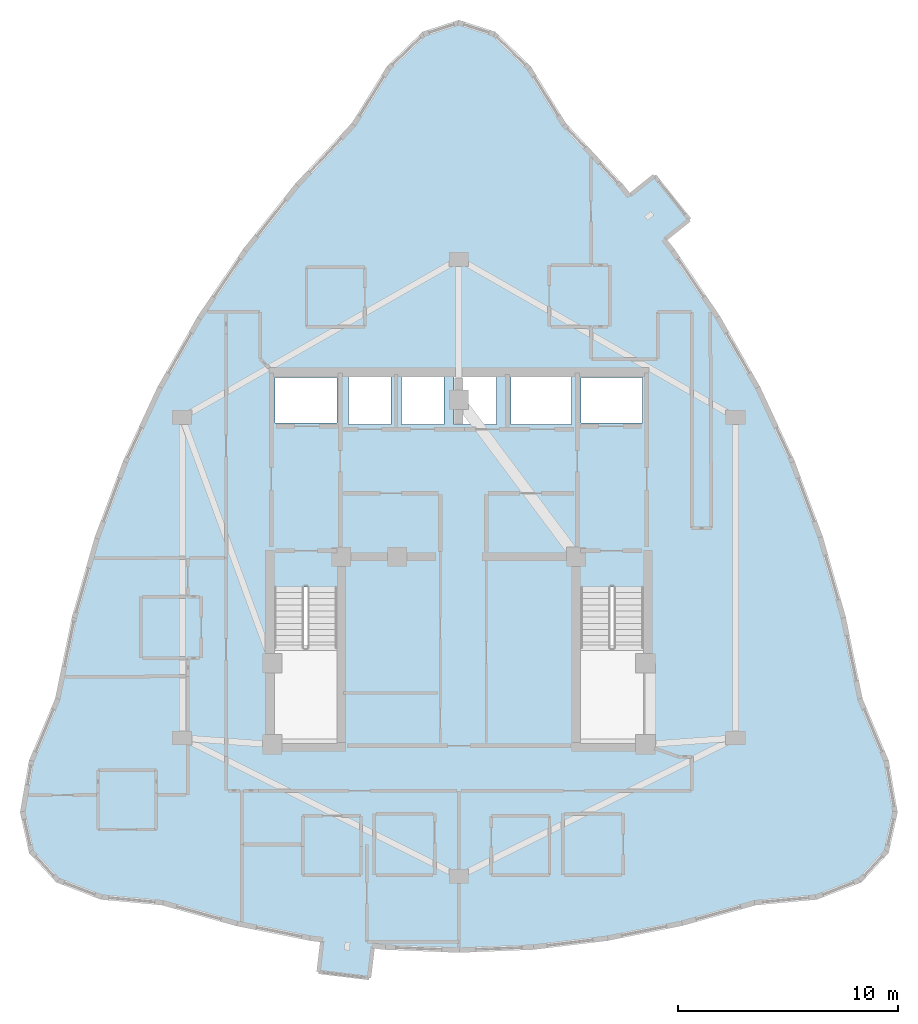
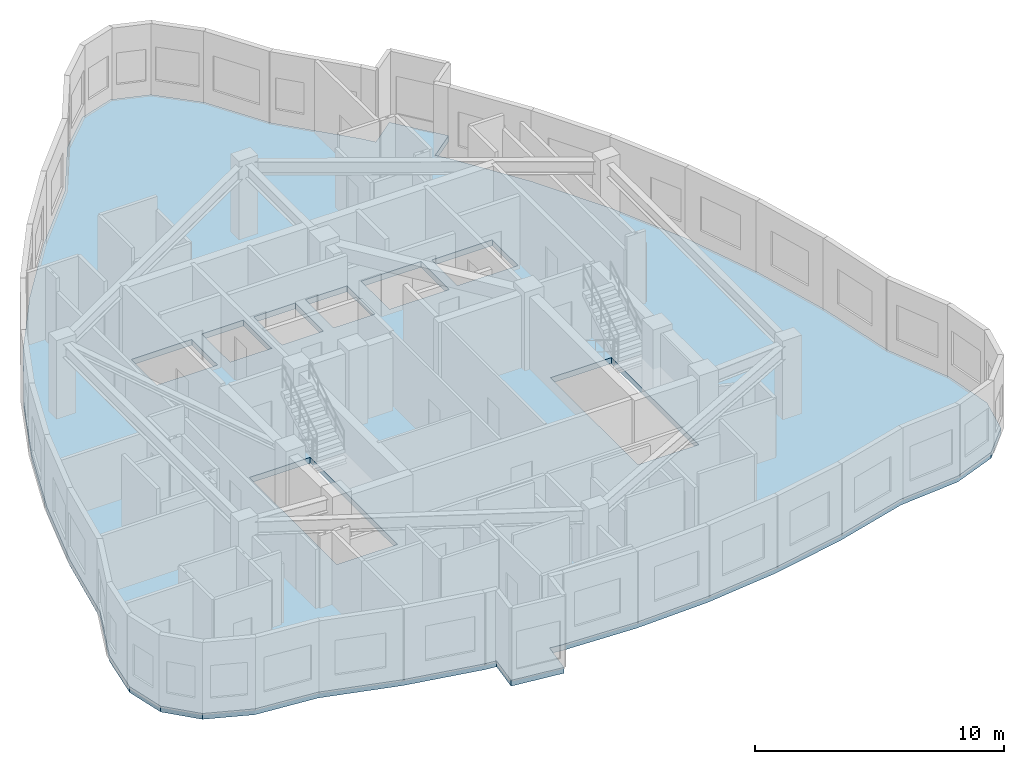
# One storey, part 5 of 13: 1 slab.
"""IFC4 building model written with IfcOpenShell, lengths in metres."""

from ifc_helpers import new_model, si_unit, direction, frame, origin, place, context, subcontext, project, spatial, polyline, outline, extrude, material, layer, layer_set, type_object, element, save


model = new_model("IFC4")

# Units and contexts
model_context = context("Model", 3, precision=1e-05, world=origin(), true_north=direction((0.0, 1.0)))
body_context = subcontext(model_context, "Body", "Model", "MODEL_VIEW")
ifc_project = project(units=[si_unit("LENGTHUNIT", "METRE"), si_unit("AREAUNIT", "SQUARE_METRE"), si_unit("VOLUMEUNIT", "CUBIC_METRE"), si_unit("PLANEANGLEUNIT", "RADIAN"), si_unit("MASSUNIT", "GRAM", prefix="KILO")], contexts=[model_context])

# Site, building, storey
site_placement = place(None, origin())
site = spatial("IfcSite", under=ifc_project, at=site_placement, CompositionType="ELEMENT")
building_placement = place(site_placement, origin())
building = spatial("IfcBuilding", under=site, at=building_placement, Name="Miruveldt Soraemaru", CompositionType="ELEMENT")
storey_placement = place(building_placement, frame((0.0, 0.0, 255.85009765625)))
storey = spatial("IfcBuildingStorey", under=building, at=storey_placement, Name="L70", CompositionType="ELEMENT", Elevation=255.85009765625)

# Slab
ifc_material = material(Name="Concrete C40/50 (40 MPa)", Category="concrete")
ifc_layer = layer(ifc_material, 0.284912109375, Name="Concrete C40/50 (40 MPa)", Category="concrete")
ifc_layer_set = layer_set([ifc_layer], Name="Concrete C40/50 (40 MPa)")
slab_type = type_object("IfcSlabType", Name="SLAB-RES4-285", PredefinedType="FLOOR", material=ifc_layer_set)
slab_placement = place(storey_placement, frame((0.0, 0.0, -0.28515625)))
element("IfcSlab", 1, at=slab_placement, inside=storey, type_object=slab_type, Name="L70 Structural Floor Slab", PredefinedType="FLOOR", context=body_context, shape_type="SweptSolid", body=[
    extrude(outline(polyline([(39.90869140625, 24.87451171875), (37.6142578125, 25.14990234375), (37.79052734375, 26.619384765625), (37.25048828125, 26.68408203125), (33.87548828125, 27.359130859375), (30.500732421875, 28.303955078125), (27.718994140625, 28.56103515625), (25.732177734375, 29.331787109375), (24.5400390625, 30.61669921875), (24.142578125, 32.415283203125), (24.5400390625, 34.727783203125), (25.732177734375, 37.554443359375), (26.503173828125, 41.30029296875), (27.535888671875, 44.9111328125), (28.830322265625, 48.386962890625), (30.386962890625, 51.727783203125), (32.205078125, 54.933837890625), (34.285400390625, 58.004638671875), (36.62744140625, 60.940673828125), (39.2314453125, 63.74169921875), (40.821044921875, 66.31103515625), (42.410400390625, 67.852783203125), (44.0, 68.36669921875), (45.589599609375, 67.852783203125), (47.178955078125, 66.31103515625), (48.7685546875, 63.74169921875), (51.37255859375, 60.940673828125), (52.54345703125, 59.47265625), (51.747314453125, 60.470947265625), (52.904296875, 61.393798828125), (54.496826171875, 59.397216796875), (53.33984375, 58.474365234375), (53.714599609375, 58.004638671875), (55.794921875, 54.933837890625), (57.613037109375, 51.727783203125), (59.169677734375, 48.386962890625), (60.464111328125, 44.9111328125), (61.496826171875, 41.30029296875), (62.267822265625, 37.554443359375), (63.4599609375, 34.727783203125), (63.857421875, 32.415283203125), (63.4599609375, 30.61669921875), (62.267822265625, 29.331787109375), (60.281005859375, 28.56103515625), (57.499267578125, 28.303955078125), (54.12451171875, 27.359130859375), (50.74951171875, 26.68408203125), (47.374755859375, 26.279052734375), (44.0, 26.14404296875), (40.625244140625, 26.279052734375), (38.937744140625, 26.481689453125), (40.085205078125, 26.343994140625), (39.90869140625, 24.87451171875)]), holes=[polyline([(35.614990234375, 35.6650390625), (38.43505859375, 35.6650390625), (38.43505859375, 42.68505859375), (35.614990234375, 42.68505859375), (35.614990234375, 35.6650390625)]), polyline([(49.56494140625, 35.6650390625), (52.385009765625, 35.6650390625), (52.385009765625, 42.68505859375), (49.56494140625, 42.68505859375), (49.56494140625, 35.6650390625)]), polyline([(38.445068359375, 50.135009765625), (38.445068359375, 52.205078125), (35.635009765625, 52.205078125), (35.635009765625, 50.135009765625), (38.445068359375, 50.135009765625)]), polyline([(52.364990234375, 50.135009765625), (52.364990234375, 52.205078125), (49.554931640625, 52.205078125), (49.554931640625, 50.135009765625), (52.364990234375, 50.135009765625)]), polyline([(40.9150390625, 50.06494140625), (40.9150390625, 52.3349609375), (38.985107421875, 52.3349609375), (38.985107421875, 50.06494140625), (40.9150390625, 50.06494140625)]), polyline([(43.31494140625, 50.06494140625), (43.31494140625, 52.3349609375), (41.385009765625, 52.3349609375), (41.385009765625, 50.06494140625), (43.31494140625, 50.06494140625)]), polyline([(45.715087890625, 50.06494140625), (45.715087890625, 52.3349609375), (43.784912109375, 52.3349609375), (43.784912109375, 50.06494140625), (45.715087890625, 50.06494140625)]), polyline([(49.135009765625, 50.06494140625), (49.135009765625, 52.3349609375), (46.364990234375, 52.3349609375), (46.364990234375, 50.06494140625), (49.135009765625, 50.06494140625)])]), origin(), (0.0, 0.0, 1.0), 0.28515625),
])

save(model, "model.ifc")
